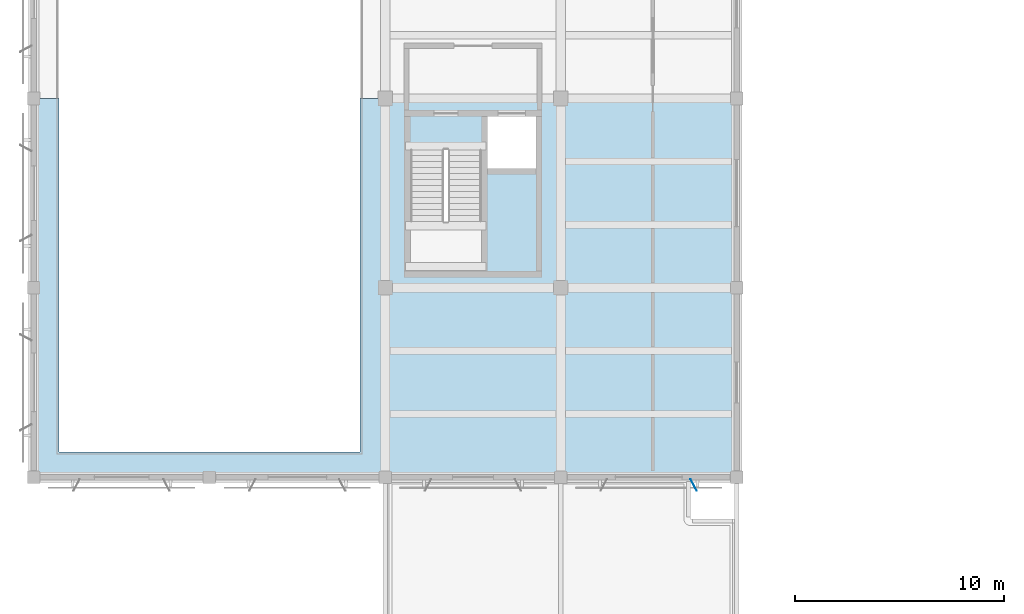
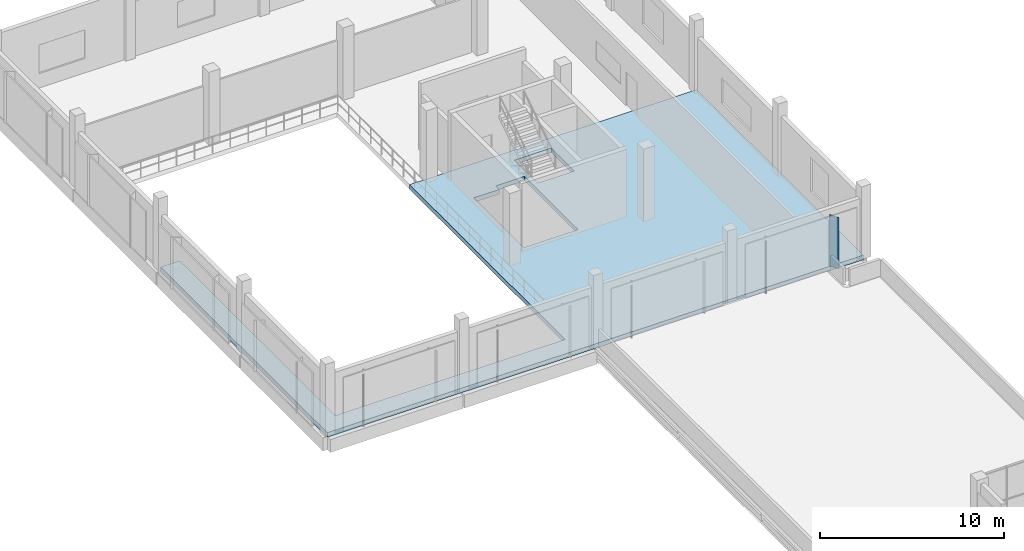
# One storey, part 44 of 80: 1 plate, 1 slab.
"""IFC4 building model written with IfcOpenShell, lengths in metres."""

from ifc_helpers import new_model, si_unit, direction, frame, origin, origin_2d, place, context, subcontext, project, spatial, polyline, rectangle, outline, extrude, material, layer, layer_set, type_object, element, save


model = new_model("IFC4")

# Units and contexts
model_context = context("Model", 3, precision=1e-05, world=origin(), true_north=direction((0.0, 1.0)))
body_context = subcontext(model_context, "Body", "Model", "MODEL_VIEW")
ifc_project = project(units=[si_unit("LENGTHUNIT", "METRE"), si_unit("AREAUNIT", "SQUARE_METRE"), si_unit("VOLUMEUNIT", "CUBIC_METRE"), si_unit("PLANEANGLEUNIT", "RADIAN"), si_unit("MASSUNIT", "GRAM", prefix="KILO")], contexts=[model_context])

# Site, building, storey
site_placement = place(None, origin())
site = spatial("IfcSite", under=ifc_project, at=site_placement, CompositionType="ELEMENT")
building_placement = place(site_placement, origin())
building = spatial("IfcBuilding", under=site, at=building_placement, Name="Khurvash Pelagic Aquarium", CompositionType="ELEMENT")
storey_placement = place(building_placement, frame((0.0, 0.0, 10.800048828125)))
storey = spatial("IfcBuildingStorey", under=building, at=storey_placement, Name="L02", CompositionType="ELEMENT", Elevation=10.800048828125)

# Slab
ifc_material_1 = material(Name="Concrete C40/50", Category="concrete")
ifc_layer_1 = layer(ifc_material_1, 0.300048828125)
ifc_layer_set_1 = layer_set([ifc_layer_1], Name="Concrete C40/50")
slab_type = type_object("IfcSlabType", Name="FS-300", PredefinedType="FLOOR", material=ifc_layer_set_1)
slab_placement = place(storey_placement, frame((0.0, 0.0, -0.300048828125)))
element("IfcSlab", 1, at=slab_placement, inside=storey, type_object=slab_type, Name="L02 Structural Floor Slab FS-300 V4_WEST.1", PredefinedType="FLOOR", context=body_context, shape_type="SweptSolid", body=[
    extrude(outline(polyline([(33.60009765625, 56.89990234375), (33.60009765625, 75.0), (15.60009765625, 75.0), (15.60009765625, 58.10009765625), (1.199951171875, 58.10009765625), (1.199951171875, 75.0), (0.0, 75.0), (0.0, 56.89990234375), (33.60009765625, 56.89990234375)]), holes=[polyline([(19.60009765625, 72.550048828125), (21.39990234375, 72.550048828125), (21.39990234375, 66.75), (18.0, 66.75), (18.0, 72.169921875), (19.60009765625, 72.169921875), (19.60009765625, 72.550048828125)]), polyline([(24.0, 71.64990234375), (21.699951171875, 71.64990234375), (21.699951171875, 74.14990234375), (24.0, 74.14990234375), (24.0, 71.64990234375)])]), origin(), (0.0, 0.0, 1.0), 0.300048828125),
])

# Plate
ifc_material_2 = material(Name="Anodised aluminium AW-5005", Category="aluminium")
ifc_layer_2 = layer(ifc_material_2, 0.02392578125)
ifc_layer_set_2 = layer_set([ifc_layer_2], Name="Anodised aluminium AW-5005")
plate_type = type_object("IfcPlateType", Name="SP-01", PredefinedType="SHEET", material=ifc_layer_set_2)
plate_placement = place(storey_placement, frame((31.550048828125, 56.52197265625, 0.14990234375), z_axis=(0.0, 0.0, 1.0), x_axis=(0.469471562786, -0.882947592859, 0.0)))
element("IfcPlate", 2, at=plate_placement, inside=storey, type_object=plate_type, Name="L02 Parametric Folded Aluminium Solar Screen Fin SP-01 0064", PredefinedType="SHEET", context=body_context, shape_type="SweptSolid", body=[
    extrude(rectangle(XDim=0.6201171875, YDim=0.02392578125, at=origin_2d()), origin(), (0.0, 0.0, 1.0), 3.39990234375),
])

save(model, "model.ifc")
